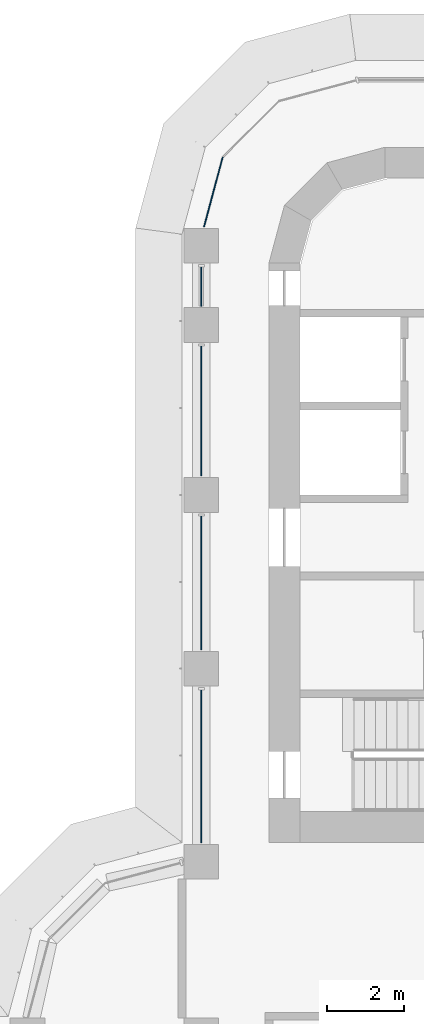
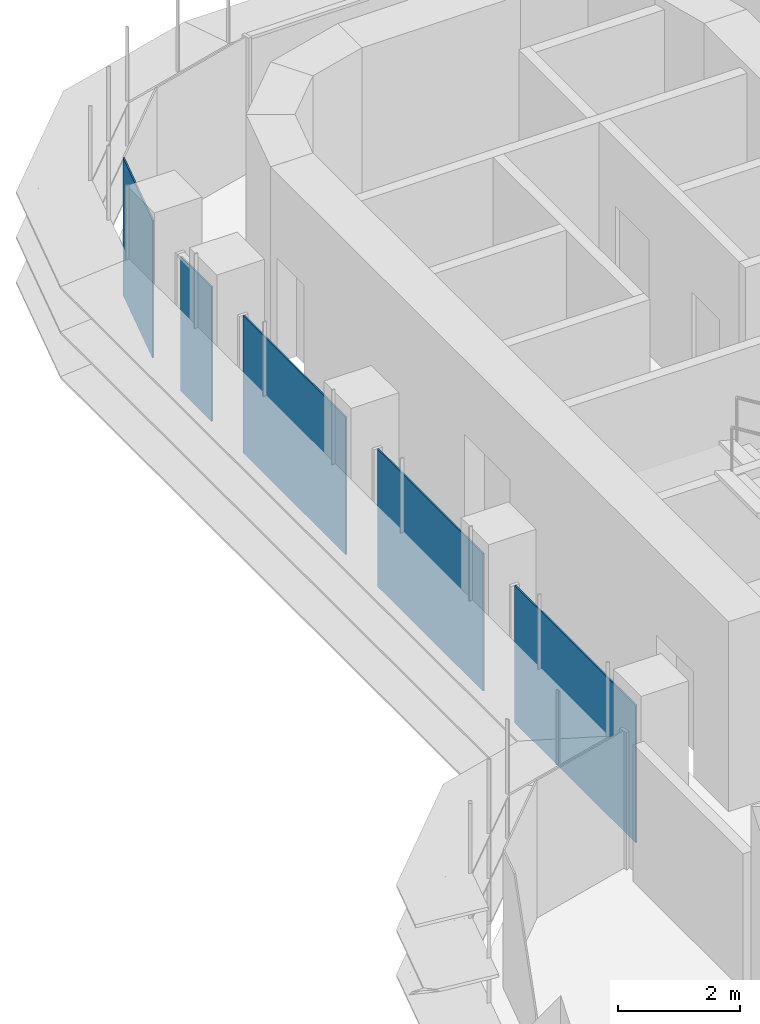
# One storey, part 13 of 22: 5 plates, 2 elements without a shape of their own.
"""IFC4 building model written with IfcOpenShell, lengths in metres."""

from ifc_helpers import new_model, si_unit, direction, frame, origin, place, context, subcontext, project, spatial, polyline, outline, extrude, source, transform, mapped, material, layer, layer_set, type_object, element, aggregate, save


model = new_model("IFC4")

# Units and contexts
model_context = context("Model", 3, precision=1e-05, world=origin(), true_north=direction((0.0, 1.0)))
body_context = subcontext(model_context, "Body", "Model", "MODEL_VIEW")
ifc_project = project(units=[si_unit("LENGTHUNIT", "METRE"), si_unit("AREAUNIT", "SQUARE_METRE"), si_unit("VOLUMEUNIT", "CUBIC_METRE"), si_unit("PLANEANGLEUNIT", "RADIAN"), si_unit("MASSUNIT", "GRAM", prefix="KILO")], contexts=[model_context])

# Site, building, storey
site_placement = place(None, origin())
site = spatial("IfcSite", under=ifc_project, at=site_placement, CompositionType="ELEMENT")
building_placement = place(site_placement, origin())
building = spatial("IfcBuilding", under=site, at=building_placement, Name="Zarbagh Exchange Tower", CompositionType="ELEMENT")
storey_placement = place(building_placement, frame((0.0, 0.0, 124.60009765625)))
storey = spatial("IfcBuildingStorey", under=building, at=storey_placement, Name="L29", CompositionType="ELEMENT", Elevation=124.60009765625)

# Curtain wall, plates
ifc_material_1 = material(Name="Anodised aluminium frame and glazing", Category="aluminium")
curtain_wall_type = type_object("IfcCurtainWallType", Name="CWA Ribbon glazing, lower zones", PredefinedType="NOTDEFINED", material=ifc_material_1)
curtain_wall_1_placement = place(storey_placement, origin())
curtain_wall_1 = element("IfcCurtainWall", 1, at=curtain_wall_1_placement, inside=storey, type_object=curtain_wall_type, Name="CWA56 curtain wall", PredefinedType="NOTDEFINED")
ifc_material_2 = material(Name="Low-e double glazed unit, 6+12+6 mm")
ifc_layer = layer(ifc_material_2, 0.028076171875)
ifc_layer_set = layer_set([ifc_layer], Name="PAA Glazing panel, Low-e double glazed unit, 6+12+6 mm")
plate_type = type_object("IfcPlateType", Name="PAA Glazing panel, Low-e double glazed unit, 6+12+6 mm", PredefinedType="CURTAIN_PANEL", material=ifc_layer_set)
shared_shape_1 = source(origin(), body_context, "Body", "SweptSolid", [
    extrude(outline(polyline([(0.0, -0.013916015625), (3.360107421875, -0.013916015625), (3.360107421875, 0.013916015625), (0.0, 0.013916015625), (0.0, -0.013916015625)])), origin(), (0.0, 0.0, 1.0), 2.75),
])
placement = place(storey_placement, origin())
plate_1 = element("IfcPlate", 2, at=placement, type_object=plate_type, Name="CWA56 glazing panel 2.1", PredefinedType="CURTAIN_PANEL", context=body_context, shape_type="MappedRepresentation", body=[
    mapped(shared_shape_1, transform((-6.25, 24.099853515625, 0.0), x_axis=(0.0, -1.0, 0.0), y_axis=(1.0, 0.0, 0.0), z_axis=(0.0, 0.0, 1.0))),
])
shared_shape_2 = source(origin(), body_context, "Body", "SweptSolid", [
    extrude(outline(polyline([(0.0, -0.013916015625), (3.4599609375, -0.013916015625), (3.4599609375, 0.013916015625), (0.0, 0.013916015625), (0.0, -0.013916015625)])), origin(), (0.0, 0.0, 1.0), 2.75),
])
plate_2 = element("IfcPlate", 3, at=placement, type_object=plate_type, Name="CWA56 glazing panel 3.1", PredefinedType="CURTAIN_PANEL", context=body_context, shape_type="MappedRepresentation", body=[
    mapped(shared_shape_2, transform((-6.25, 19.699951171875, 0.0), x_axis=(0.0, -1.0, 0.0), y_axis=(1.0, 0.0, 0.0), z_axis=(0.0, 0.0, 1.0))),
])
shared_shape_3 = source(origin(), body_context, "Body", "SweptSolid", [
    extrude(outline(polyline([(0.0, -0.013916015625), (3.9599609375, -0.013916015625), (3.9599609375, 0.013916015625), (0.0, 0.013916015625), (0.0, -0.013916015625)])), origin(), (0.0, 0.0, 1.0), 2.75),
])
plate_3 = element("IfcPlate", 4, at=placement, type_object=plate_type, Name="CWA56 glazing panel 4.1", PredefinedType="CURTAIN_PANEL", context=body_context, shape_type="MappedRepresentation", body=[
    mapped(shared_shape_3, transform((-6.25, 15.199951171875, 0.0), x_axis=(0.0, -1.0, 0.0), y_axis=(1.0, 0.0, 0.0), z_axis=(0.0, 0.0, 1.0))),
])

# Curtain wall, plate
curtain_wall_2_placement = place(storey_placement, origin())
curtain_wall_2 = element("IfcCurtainWall", 5, at=curtain_wall_2_placement, inside=storey, type_object=curtain_wall_type, Name="CWA55 curtain wall", PredefinedType="NOTDEFINED")
shared_shape_4 = source(origin(), body_context, "Body", "SweptSolid", [
    extrude(outline(polyline([(0.0, -0.013916015625), (1.86474609375, -0.013916015625), (1.86474609375, 0.013916015625), (0.0, 0.013916015625), (0.0, -0.013916015625)])), origin(), (0.0, 0.0, 1.0), 2.75),
])
plate_4 = element("IfcPlate", 6, at=placement, type_object=plate_type, Name="CWA55 glazing panel 1.1", PredefinedType="CURTAIN_PANEL", context=body_context, shape_type="MappedRepresentation", body=[
    mapped(shared_shape_4, transform((-5.69873046875, 28.9912109375, 0.0), x_axis=(-0.258824779902, -0.965924289636, 0.0), y_axis=(0.965924289636, -0.258824779902, 0.0), z_axis=(0.0, 0.0, 1.0))),
])
aggregate(curtain_wall_2, [plate_4])

# Plate
shared_shape_5 = source(origin(), body_context, "Body", "SweptSolid", [
    extrude(outline(polyline([(0.0, -0.013916015625), (1.010009765625, -0.013916015625), (1.010009765625, 0.013916015625), (0.0, 0.013916015625), (0.0, -0.013916015625)])), origin(), (0.0, 0.0, 1.0), 2.68994140625),
])
plate_5 = element("IfcPlate", 7, at=placement, type_object=plate_type, Name="CWA56 glazing panel 1.1", PredefinedType="CURTAIN_PANEL", context=body_context, shape_type="MappedRepresentation", body=[
    mapped(shared_shape_5, transform((-6.25, 26.14990234375, 0.0), x_axis=(0.0, -1.0, 0.0), y_axis=(1.0, 0.0, 0.0), z_axis=(0.0, 0.0, 1.0))),
])

aggregate(curtain_wall_1, [plate_5, plate_1, plate_2, plate_3])

save(model, "model.ifc")
